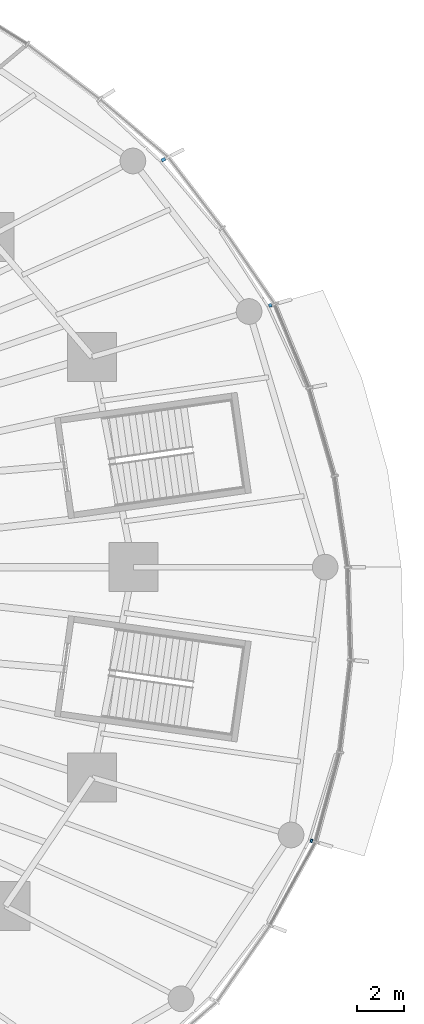
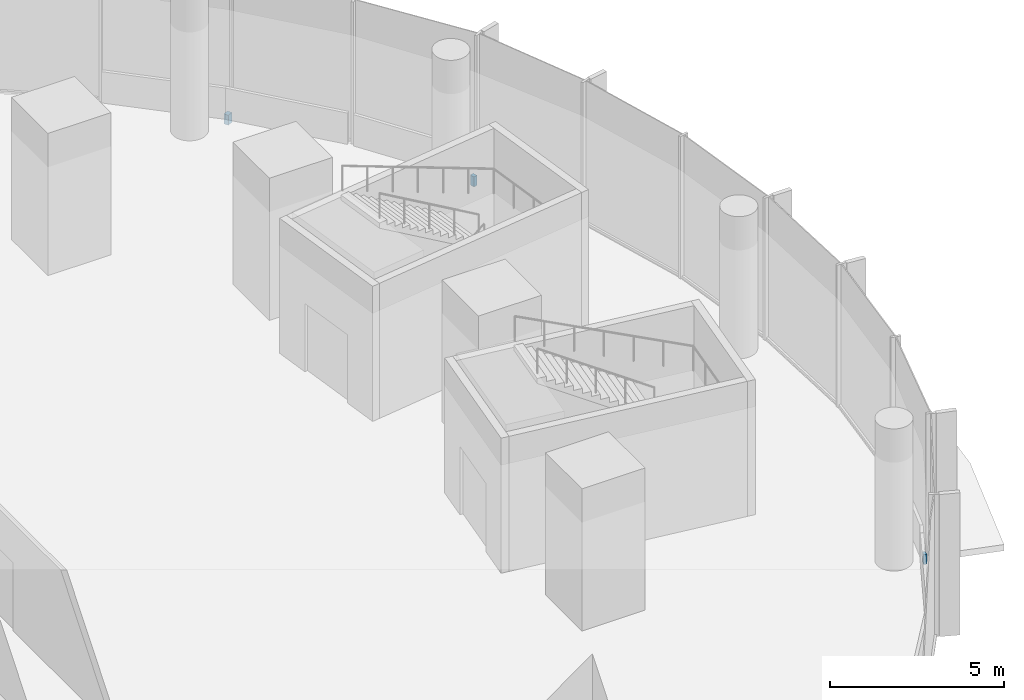
# One storey, part 22 of 28: 3 discrete accessories.
"""IFC4 building model written with IfcOpenShell, lengths in metres."""

from ifc_helpers import new_model, si_unit, direction, frame, origin, origin_2d, place, context, subcontext, project, spatial, rectangle, extrude, material, type_object, element, save


model = new_model("IFC4")

# Units and contexts
model_context = context("Model", 3, precision=1e-05, world=origin(), true_north=direction((0.0, 1.0)))
body_context = subcontext(model_context, "Body", "Model", "MODEL_VIEW")
ifc_project = project(units=[si_unit("LENGTHUNIT", "METRE"), si_unit("AREAUNIT", "SQUARE_METRE"), si_unit("VOLUMEUNIT", "CUBIC_METRE"), si_unit("PLANEANGLEUNIT", "RADIAN"), si_unit("MASSUNIT", "GRAM", prefix="KILO")], contexts=[model_context])

# Site, building, storey
site_placement = place(None, origin())
site = spatial("IfcSite", under=ifc_project, at=site_placement, CompositionType="ELEMENT")
building_placement = place(site_placement, origin())
building = spatial("IfcBuilding", under=site, at=building_placement, Name="Ghaith Harvest Tower", CompositionType="ELEMENT")
storey_placement = place(building_placement, frame((0.0, 0.0, 5.0)))
storey = spatial("IfcBuildingStorey", under=building, at=storey_placement, Name="L01", CompositionType="ELEMENT", Elevation=5.0)

# Discrete accessories
ifc_material_1 = material(Name="Stainless steel grade 1.4401", Category="steel")
discrete_accessory_type_1 = type_object("IfcDiscreteAccessoryType", Name="CURTAIN WALL BRACKET 125", PredefinedType="BRACKET", material=ifc_material_1)
discrete_accessory_1_placement = place(storey_placement, frame((38.791748046875, 11.211669921875, -0.25), z_axis=(0.0, 0.0, 1.0), x_axis=(0.960680349985, 0.277656739792, 0.0)))
element("IfcDiscreteAccessory", 1, at=discrete_accessory_1_placement, inside=storey, type_object=discrete_accessory_type_1, Name="CW-P bracket 1 bay 02 L01", PredefinedType="BRACKET", context=body_context, shape_type="SweptSolid", body=[
    extrude(rectangle(XDim=0.125, YDim=0.14990234375, at=origin_2d()), origin(), (0.0, 0.0, 1.0), 0.35009765625),
])
ifc_material_2 = material(Name="Stainless steel grade 1.4401", Category="steel")
discrete_accessory_type_2 = type_object("IfcDiscreteAccessoryType", Name="CURTAIN WALL BRACKET 185", PredefinedType="BRACKET", material=ifc_material_2)
discrete_accessory_2_placement = place(storey_placement, frame((34.216552734375, 17.450927734375, -0.25), z_axis=(0.0, 0.0, 1.0), x_axis=(0.890830752257, 0.454335306611, 0.0)))
element("IfcDiscreteAccessory", 2, at=discrete_accessory_2_placement, inside=storey, type_object=discrete_accessory_type_2, Name="CW-P bracket 3 bay 02 L01", PredefinedType="BRACKET", context=body_context, shape_type="SweptSolid", body=[
    extrude(rectangle(XDim=0.18505859375, YDim=0.14990234375, at=origin_2d()), origin(), (0.0, 0.0, 1.0), 0.35009765625),
])
ifc_material_3 = material(Name="Stainless steel grade 1.4401", Category="steel")
discrete_accessory_type_3 = type_object("IfcDiscreteAccessoryType", Name="CURTAIN WALL BRACKET 95", PredefinedType="BRACKET", material=ifc_material_3)
discrete_accessory_3_placement = place(storey_placement, frame((40.55419921875, -11.720947265625, -0.25), z_axis=(0.0, 0.0, 1.0), x_axis=(0.960680349932, -0.277656739976, 0.0)))
element("IfcDiscreteAccessory", 3, at=discrete_accessory_3_placement, inside=storey, type_object=discrete_accessory_type_3, Name="CW-P bracket 1 bay 20 L01", PredefinedType="BRACKET", context=body_context, shape_type="SweptSolid", body=[
    extrude(rectangle(XDim=0.094970703125, YDim=0.14990234375, at=origin_2d()), origin(), (0.0, 0.0, 1.0), 0.35009765625),
])

save(model, "model.ifc")
